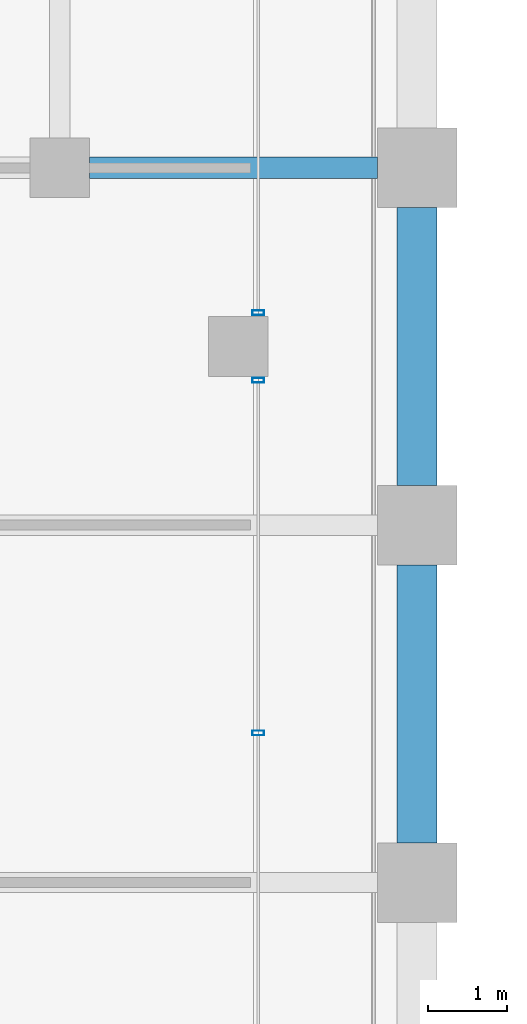
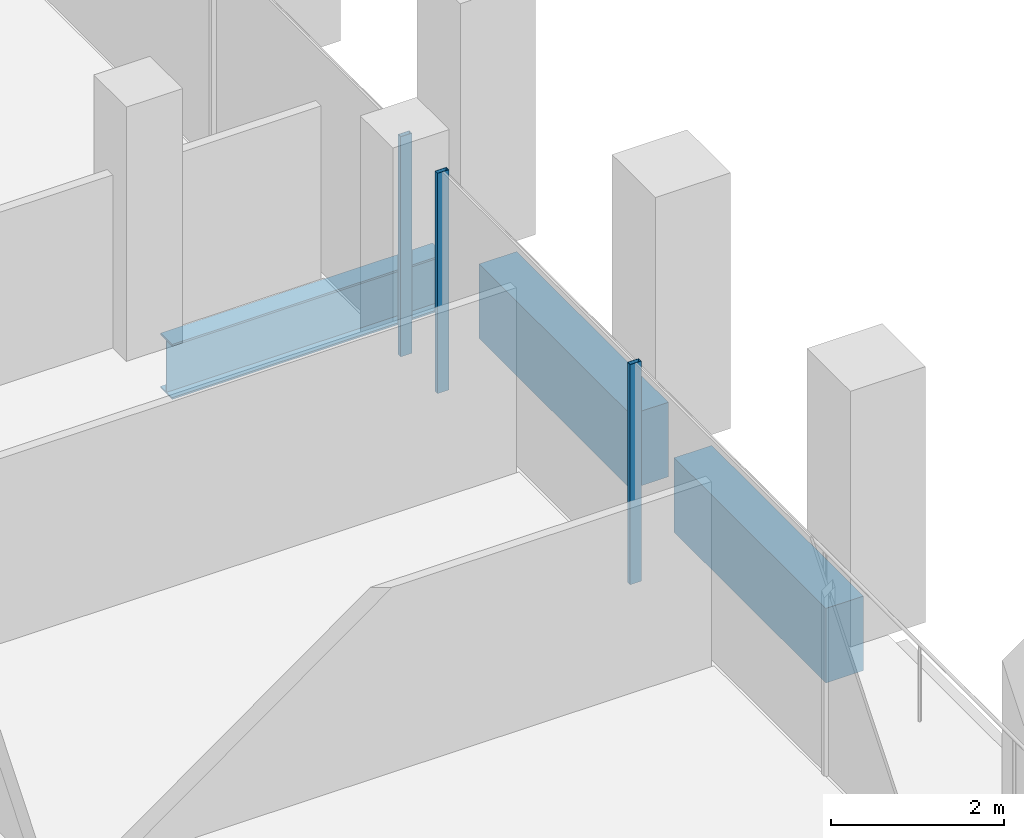
# One storey, part 19 of 46: 3 beams, 3 members, 2 elements without a shape of their own.
"""IFC4 building model written with IfcOpenShell, lengths in metres."""

from ifc_helpers import new_model, si_unit, direction, frame, origin, origin_2d, place, context, subcontext, project, spatial, rectangle, hollow_rectangle, i_section, extrude, material, material_profile, profile_set, type_object, element, aggregate, save


model = new_model("IFC4")

# Units and contexts
model_context = context("Model", 3, precision=1e-05, world=origin(), true_north=direction((0.0, 1.0)))
body_context = subcontext(model_context, "Body", "Model", "MODEL_VIEW")
ifc_project = project(units=[si_unit("LENGTHUNIT", "METRE"), si_unit("AREAUNIT", "SQUARE_METRE"), si_unit("VOLUMEUNIT", "CUBIC_METRE"), si_unit("PLANEANGLEUNIT", "RADIAN"), si_unit("MASSUNIT", "GRAM", prefix="KILO")], contexts=[model_context])

# Site, building, storey
site_placement = place(None, origin())
site = spatial("IfcSite", under=ifc_project, at=site_placement, CompositionType="ELEMENT")
building_placement = place(site_placement, origin())
building = spatial("IfcBuilding", under=site, at=building_placement, Name="Altepetl Exchange Towers", CompositionType="ELEMENT")
storey_placement = place(building_placement, frame((0.0, 0.0, 135.199951171875)))
storey = spatial("IfcBuildingStorey", under=building, at=storey_placement, Name="L33", CompositionType="ELEMENT", Elevation=135.199951171875)

# Beam
ifc_material_1 = material(Name="Steel S355", Category="steel")
ifc_material_profile_1 = material_profile(ifc_material_1, i_section(OverallWidth=0.26806640625, OverallDepth=0.77392578125, WebThickness=0.015380859375, FlangeThickness=0.025390625, at=origin_2d()), Name="W30X132")
ifc_profile_set_1 = profile_set([ifc_material_profile_1], Name="Steel S355")
beam_type_1 = type_object("IfcBeamType", Name="Girder W30X132", PredefinedType="BEAM", material=ifc_profile_set_1)
beam_placement = place(storey_placement, frame((67.875, 58.5, -0.536865234375), z_axis=(1.0, 0.0, 0.0), x_axis=(0.0, 1.0, 0.0)))
element("IfcBeam", 1, at=beam_placement, inside=storey, type_object=beam_type_1, Name="gd:A:L33:002", PredefinedType="BEAM", context=body_context, shape_type="SweptSolid", body=[
    extrude(i_section(OverallWidth=0.26806640625, OverallDepth=0.77392578125, WebThickness=0.015380859375, FlangeThickness=0.025390625, at=origin_2d()), origin(), (0.0, 0.0, 1.0), 3.625),
])

# Curtain wall, members
ifc_material_2 = material(Name="Aluminium 6063-T6 glazing", Category="aluminium")
curtain_wall_type = type_object("IfcCurtainWallType", Name="Loggia glazing system", PredefinedType="NOTDEFINED", material=ifc_material_2)
curtain_wall_1_placement = place(storey_placement, origin())
curtain_wall_1 = element("IfcCurtainWall", 2, at=curtain_wall_1_placement, inside=storey, type_object=curtain_wall_type, Name="CW1 run", PredefinedType="NOTDEFINED")
ifc_material_3 = material(Name="Aluminium 6063-T6", Category="aluminium")
ifc_material_profile_2 = material_profile(ifc_material_3, hollow_rectangle(XDim=0.06005859375, YDim=0.14990234375, WallThickness=0.0029296875, at=origin_2d()), Name="Mullion 60x150 aluminium")
ifc_profile_set_2 = profile_set([ifc_material_profile_2], Name="Aluminium 6063-T6")
member_type = type_object("IfcMemberType", Name="Mullion 60x150 aluminium", PredefinedType="MULLION", material=ifc_profile_set_2)
member_1_placement = place(storey_placement, frame((70.0, 51.384033203125, 0.0), z_axis=(0.0, 0.0, 1.0), x_axis=(0.0, 1.0, 0.0)))
member_1 = element("IfcMember", 3, at=member_1_placement, type_object=member_type, Name="MU1 mullion", PredefinedType="MULLION", context=body_context, shape_type="SweptSolid", body=[
    extrude(hollow_rectangle(XDim=0.06005859375, YDim=0.14990234375, WallThickness=0.0029296875, at=origin_2d()), origin(), (0.0, 0.0, 1.0), 3.10009765625),
])
member_2_placement = place(storey_placement, frame((70.0, 55.824951171875, 0.0), z_axis=(0.0, 0.0, 1.0), x_axis=(0.0, 1.0, 0.0)))
member_2 = element("IfcMember", 4, at=member_2_placement, type_object=member_type, Name="MU1 mullion", PredefinedType="MULLION", context=body_context, shape_type="SweptSolid", body=[
    extrude(hollow_rectangle(XDim=0.06005859375, YDim=0.14990234375, WallThickness=0.0029296875, at=origin_2d()), origin(), (0.0, 0.0, 1.0), 3.10009765625),
])
aggregate(curtain_wall_1, [member_1, member_2])

# Curtain wall, member
curtain_wall_2_placement = place(storey_placement, origin())
curtain_wall_2 = element("IfcCurtainWall", 5, at=curtain_wall_2_placement, inside=storey, type_object=curtain_wall_type, Name="CW1 run", PredefinedType="NOTDEFINED")
member_3_placement = place(storey_placement, frame((70.0, 56.675048828125, 0.0), z_axis=(0.0, 0.0, 1.0), x_axis=(0.0, 1.0, 0.0)))
member_3 = element("IfcMember", 6, at=member_3_placement, type_object=member_type, Name="MU1 mullion", PredefinedType="MULLION", context=body_context, shape_type="SweptSolid", body=[
    extrude(hollow_rectangle(XDim=0.06005859375, YDim=0.14990234375, WallThickness=0.0029296875, at=origin_2d()), origin(), (0.0, 0.0, 1.0), 3.10009765625),
])
aggregate(curtain_wall_2, [member_3])

# Beams
ifc_material_4 = material(Name="Concrete C50/60 precast with cantera amarilla facing", Category="concrete")
ifc_material_profile_3 = material_profile(ifc_material_4, rectangle(XDim=0.5, YDim=1.050048828125, at=origin_2d()), Name="500 x 1050")
ifc_profile_set_3 = profile_set([ifc_material_profile_3], Name="Concrete C50/60 precast with cantera amarilla facing")
beam_type_2 = type_object("IfcBeamType", Name="Spandrel beam 500x1050 cantera amarilla", PredefinedType="SPANDREL", material=ifc_profile_set_3)
for number, where, z_axis, x_axis, name in (
    (7, (72.0, 50.0, -0.675048828125), (0.0, 1.0, 0.0), (-1.0, 0.0, 0.0), "sp:A:L33:016"),
    (8, (72.0, 54.5, -0.675048828125), (0.0, 1.0, 0.0), (-1.0, 0.0, 0.0), "sp:A:L33:017"),
):
    element("IfcBeam", number, at=place(storey_placement, frame(where, z_axis=z_axis, x_axis=x_axis)), inside=storey, type_object=beam_type_2, Name=name, PredefinedType="SPANDREL", context=body_context, shape_type="SweptSolid", body=[
        extrude(rectangle(XDim=0.5, YDim=1.050048828125, at=origin_2d()), origin(), (0.0, 0.0, 1.0), 3.5),
    ])

save(model, "model.ifc")
